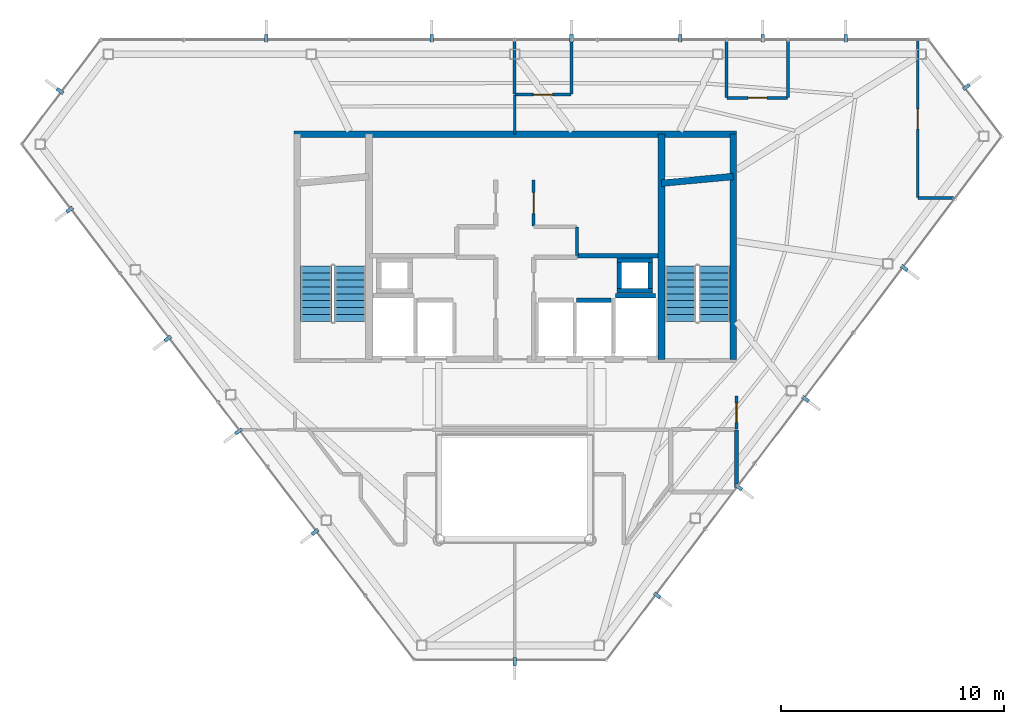
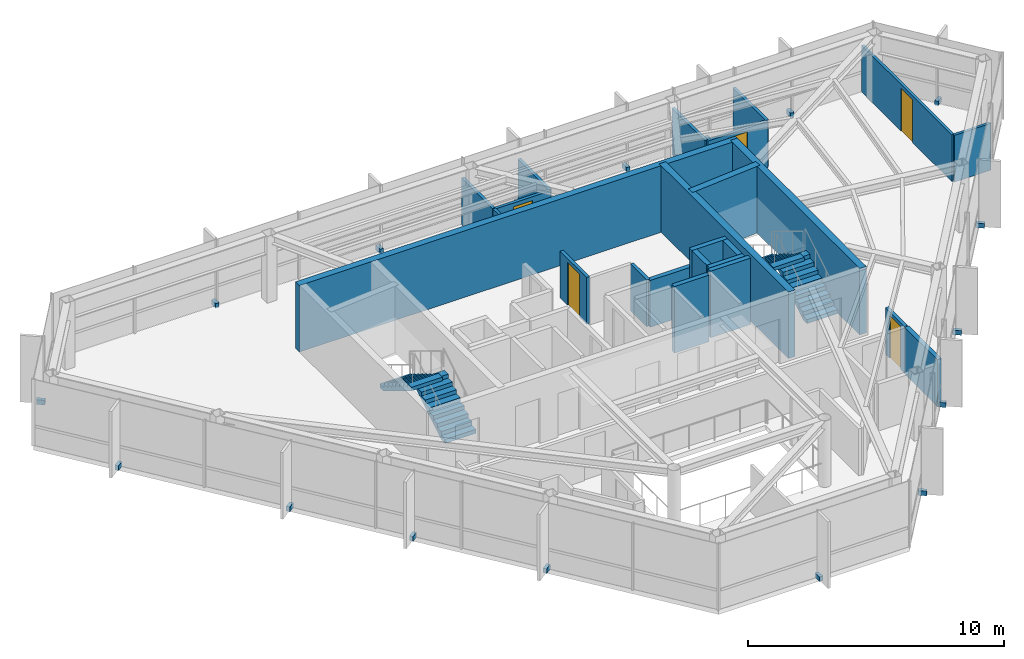
# One storey, part 22 of 23: 24 walls, 17 discrete accessories, 5 doors, 4 stair flights, 5 openings, 2 elements without a shape of their own.
"""IFC4 building model written with IfcOpenShell, lengths in metres."""

import ifcopenshell
import ifcopenshell.guid

model = None  # the IFC model being written
_history = None  # IfcOwnerHistory: only IFC2X3 demands one
_inside = {}  # id of a spatial element -> (the spatial element, [elements in it])
_under = {}  # id of a project, library or spatial element -> (it, [spatial elements below it])
_declared = {}  # id of a project -> (the project, [libraries it declares])
_typed = {}  # id of a type object -> (the type object, [elements of that type])
_made_of = {}  # id of a material, layer set ... -> (it, [elements and type objects made of it])


def new_model(schema):
    """Start an empty IFC model of exactly this schema.

    Asked for "IFC4X3", IfcOpenShell would pick the latest addendum, in which some entities
    have other attributes; the version numbers below select the first issue.
    IFC2X3 requires an IfcOwnerHistory on every rooted entity: one is made here for all.
    """
    global model, _history
    if schema == "IFC4X3":
        model = ifcopenshell.file(schema_version=(4, 3, 0, 0))
    else:
        model = ifcopenshell.file(schema=schema)
    _inside.clear()
    _under.clear()
    _declared.clear()
    _typed.clear()
    _made_of.clear()
    _history = None
    if model.schema == "IFC2X3":
        org = make("IfcOrganization", Name="unknown")
        user = make(
            "IfcPersonAndOrganization",
            ThePerson=make("IfcPerson", FamilyName="unknown"),
            TheOrganization=org,
        )
        app = make(
            "IfcApplication",
            ApplicationDeveloper=org,
            Version="unknown",
            ApplicationFullName="unknown",
            ApplicationIdentifier="unknown",
        )
        _history = make(
            "IfcOwnerHistory",
            OwningUser=user,
            OwningApplication=app,
            ChangeAction="ADDED",
            CreationDate=0,
        )
    return model


def make(cls, **values):
    """One entity of the class cls with the attributes given. An attribute that is None is left unset."""
    return model.create_entity(
        cls, **{name: value for name, value in values.items() if value is not None}
    )


def rooted(cls, **values):
    """An entity with a GlobalId (a new one), such as an element, a storey or a relation."""
    return make(cls, GlobalId=ifcopenshell.guid.new(), OwnerHistory=_history, **values)


def si_unit(unit_type, name, prefix=None):
    """IfcSIUnit, for example si_unit("LENGTHUNIT", "METRE", prefix="MILLI")."""
    return make("IfcSIUnit", UnitType=unit_type, Prefix=prefix, Name=name)


def assignment(units):
    """IfcUnitAssignment: the units of a project."""
    return None if units is None else make("IfcUnitAssignment", Units=units)


def point(xyz):
    """IfcCartesianPoint."""
    return None if xyz is None else make("IfcCartesianPoint", Coordinates=xyz)


def direction(xyz):
    """IfcDirection."""
    return None if xyz is None else make("IfcDirection", DirectionRatios=xyz)


def frame(location, z_axis=None, x_axis=None):
    """IfcAxis2Placement3D, a coordinate frame: its origin and axes. An axis left out is left unset."""
    return make(
        "IfcAxis2Placement3D",
        Location=point(location),
        Axis=direction(z_axis),
        RefDirection=direction(x_axis),
    )


def frame_2d(location, x_axis=None):
    """IfcAxis2Placement2D, a coordinate frame in the plane: its origin and x axis."""
    return make(
        "IfcAxis2Placement2D", Location=point(location), RefDirection=direction(x_axis)
    )


def origin():
    """The frame at (0, 0, 0) with its axes left unset."""
    return frame((0.0, 0.0, 0.0))


def origin_2d():
    """The frame at (0, 0) in the plane with its x axis left unset."""
    return frame_2d((0.0, 0.0))


def place(relative_to, where):
    """IfcLocalPlacement: puts the frame where relative to a parent placement (None: the world)."""
    return make(
        "IfcLocalPlacement", PlacementRelTo=relative_to, RelativePlacement=where
    )


def context(
    kind, dimensions, precision=None, world=None, true_north=None, identifier=None
):
    """IfcGeometricRepresentationContext, for example the 3D "Model" context."""
    return make(
        "IfcGeometricRepresentationContext",
        ContextIdentifier=identifier,
        ContextType=kind,
        CoordinateSpaceDimension=dimensions,
        Precision=precision,
        WorldCoordinateSystem=world,
        TrueNorth=true_north,
    )


def subcontext(parent, identifier, kind, view, scale=None):
    """IfcGeometricRepresentationSubContext, for example "Body" below "Model"."""
    return make(
        "IfcGeometricRepresentationSubContext",
        ContextIdentifier=identifier,
        ContextType=kind,
        ParentContext=parent,
        TargetScale=scale,
        TargetView=view,
    )


def project(units=None, contexts=None):
    """IfcProject with its units and contexts."""
    return rooted(
        "IfcProject",
        Name="project",
        RepresentationContexts=contexts,
        UnitsInContext=assignment(units),
    )


def spatial(cls, under=None, at=None, **own):
    """A site, building, storey or space (cls), placed at a placement, below another one or the project."""
    s = rooted(cls, ObjectPlacement=at, **own)
    if under is not None:
        _under.setdefault(under.id(), (under, []))[1].append(s)
    return s


def polyline(points):
    """IfcPolyline through the points."""
    return make("IfcPolyline", Points=[point(p) for p in points])


def profile(cls, at=None, kind="AREA", **sizes):
    """A parametric profile (cls). Its sizes go by their IFC names, for example OverallWidth=200.0."""
    return make(cls, ProfileType=kind, Position=at, **sizes)


def rectangle(**sizes):
    """IfcRectangleProfileDef."""
    return profile("IfcRectangleProfileDef", **sizes)


def outline(outer, holes=None, kind="AREA"):
    """IfcArbitraryClosedProfileDef: a profile drawn as a closed curve; with holes, ...WithVoids."""
    if holes is None:
        return make("IfcArbitraryClosedProfileDef", ProfileType=kind, OuterCurve=outer)
    return make(
        "IfcArbitraryProfileDefWithVoids",
        ProfileType=kind,
        OuterCurve=outer,
        InnerCurves=holes,
    )


def extrude(swept, where, along, depth):
    """IfcExtrudedAreaSolid: the profile swept, set in the frame where, extruded along a direction by depth."""
    return make(
        "IfcExtrudedAreaSolid",
        SweptArea=swept,
        Position=where,
        ExtrudedDirection=direction(along),
        Depth=depth,
    )


def shape(context_of_items, identifier, shape_type, items):
    """IfcShapeRepresentation: the items that make up one representation, for example the "Body"."""
    return make(
        "IfcShapeRepresentation",
        ContextOfItems=context_of_items,
        RepresentationIdentifier=identifier,
        RepresentationType=shape_type,
        Items=items,
    )


def material(Name=None, Category=None):
    """IfcMaterial."""
    return make("IfcMaterial", Name=Name, Category=Category)


def layer(
    of_material, thickness, ventilated=None, Name=None, Category=None, Priority=None
):
    """IfcMaterialLayer: one layer of a wall or slab, of a material (None: an air gap)."""
    return make(
        "IfcMaterialLayer",
        Material=of_material,
        LayerThickness=thickness,
        IsVentilated=ventilated,
        Name=Name,
        Category=Category,
        Priority=Priority,
    )


def layer_set(layers, Name=None):
    """IfcMaterialLayerSet."""
    return make("IfcMaterialLayerSet", MaterialLayers=layers, LayerSetName=Name)


def made_of(thing, what):
    """Note that an element or type object is made of a material, layer set ...; save() writes the relation."""
    if what is not None:
        _made_of.setdefault(what.id(), (what, []))[1].append(thing)
    return thing


def type_object(cls, material=None, **own):
    """A type object (cls), such as IfcWallType, which elements share."""
    return made_of(rooted(cls, **own), material)


def element(
    cls,
    number,
    at=None,
    inside=None,
    cuts=None,
    type_object=None,
    material=None,
    context=None,
    identifier="Body",
    shape_type=None,
    held_by="IfcProductDefinitionShape",
    body=None,
    shapes=None,
    **own,
):
    """One element of the class cls, such as IfcWall. Its Tag is "e" and its number.

    at: its placement. inside: the storey or other place that contains it. cuts: it is an
    opening in that element (IfcRelVoidsElement). A single representation is given by context,
    identifier, shape_type and body (its items); several are given by shapes. held_by: the class
    of the entity that holds the representations. save() writes the other relations.
    """
    e = rooted(cls, Tag="e%d" % number, ObjectPlacement=at, **own)
    if body is not None:
        shapes = [shape(context, identifier, shape_type, body)]
    if shapes is not None:
        e.Representation = make(held_by, Representations=shapes)
    if inside is not None:
        _inside.setdefault(inside.id(), (inside, []))[1].append(e)
    if cuts is not None:
        rooted(
            "IfcRelVoidsElement", RelatingBuildingElement=cuts, RelatedOpeningElement=e
        )
    if type_object is not None:
        _typed.setdefault(type_object.id(), (type_object, []))[1].append(e)
    return made_of(e, material)


def fill(opening, filler):
    """IfcRelFillsElement: the door or window that sits in an opening."""
    return rooted(
        "IfcRelFillsElement",
        RelatingOpeningElement=opening,
        RelatedBuildingElement=filler,
    )


def aggregate(whole, parts):
    """IfcRelAggregates: a whole, such as a stair, and the parts it consists of."""
    return rooted("IfcRelAggregates", RelatingObject=whole, RelatedObjects=parts)


def save(model, path):
    """Write the relations noted so far, then the file.

    IfcRelAggregates (storeys below a building ...), IfcRelContainedInSpatialStructure (elements
    in a storey), IfcRelDefinesByType, IfcRelAssociatesMaterial and IfcRelDeclares: one each for
    every whole, place, type object, material and project.
    """
    for whole, parts in _under.values():
        aggregate(whole, parts)
    for where, things in _inside.values():
        rooted(
            "IfcRelContainedInSpatialStructure",
            RelatedElements=things,
            RelatingStructure=where,
        )
    for kind, things in _typed.values():
        rooted("IfcRelDefinesByType", RelatedObjects=things, RelatingType=kind)
    for what, things in _made_of.values():
        rooted("IfcRelAssociatesMaterial", RelatedObjects=things, RelatingMaterial=what)
    for by, libraries in _declared.values():
        rooted("IfcRelDeclares", RelatingContext=by, RelatedDefinitions=libraries)
    model.write(path)


model = new_model("IFC4")

# Units and contexts
model_context = context("Model", 3, precision=1e-05, world=origin(), true_north=direction((0.0, 1.0)))
body_context = subcontext(model_context, "Body", "Model", "MODEL_VIEW")
ifc_project = project(units=[si_unit("LENGTHUNIT", "METRE"), si_unit("AREAUNIT", "SQUARE_METRE"), si_unit("VOLUMEUNIT", "CUBIC_METRE"), si_unit("PLANEANGLEUNIT", "RADIAN"), si_unit("MASSUNIT", "GRAM", prefix="KILO")], contexts=[model_context])

# Site, building, storey
site_placement = place(None, origin())
site = spatial("IfcSite", under=ifc_project, at=site_placement, CompositionType="ELEMENT")
building_placement = place(site_placement, origin())
building = spatial("IfcBuilding", under=site, at=building_placement, Name="Zarrinselat Tower", CompositionType="ELEMENT")
storey_placement = place(building_placement, frame((0.0, 0.0, 282.199951171875)))
storey = spatial("IfcBuildingStorey", under=building, at=storey_placement, Name="L72", CompositionType="ELEMENT", Elevation=282.199951171875)

# Wall
ifc_material_1 = material(Name="Concrete C40/50", Category="concrete")
ifc_layer_1 = layer(ifc_material_1, 0.18994140625)
ifc_layer_set_1 = layer_set([ifc_layer_1], Name="Concrete C40/50")
wall_type_1 = type_object("IfcWallType", Name="WAL-PART-EI120", PredefinedType="PARTITIONING", material=ifc_layer_set_1)
wall_1_placement = place(storey_placement, frame((48.35009765625, 27.554443359375, 0.0), z_axis=(0.0, 0.0, 1.0), x_axis=(0.0, 1.0, 0.0)))
element("IfcWall", 1, at=wall_1_placement, inside=storey, type_object=wall_type_1, Name="L72 Partition Wall 20", PredefinedType="PARTITIONING", context=body_context, shape_type="SweptSolid", body=[
    extrude(rectangle(XDim=2.575439453125, YDim=0.18994140625, at=frame_2d((1.28759765625, 0.0))), origin(), (0.0, 0.0, 1.0), 2.235107421875),
])

# Wall, opening, door
ifc_material_2 = material(Name="Fire-Rated Gypsum Board Partition", Category="gypsum")
ifc_layer_2 = layer(ifc_material_2, 0.14990234375)
ifc_layer_set_2 = layer_set([ifc_layer_2], Name="Fire-Rated Gypsum Board Partition")
wall_type_2 = type_object("IfcWallType", Name="WAL-PART-EI60", PredefinedType="PARTITIONING", material=ifc_layer_set_2)
wall_2_placement = place(storey_placement, frame((39.25, 39.27001953125, 0.0), z_axis=(0.0, 0.0, 1.0), x_axis=(0.0, 1.0, 0.0)))
wall_2 = element("IfcWall", 2, at=wall_2_placement, inside=storey, type_object=wall_type_2, Name="L72 Partition Wall 8", PredefinedType="PARTITIONING", context=body_context, shape_type="SweptSolid", body=[
    extrude(rectangle(XDim=2.080078125, YDim=0.14990234375, at=frame_2d((1.0400390625, 0.0))), origin(), (0.0, 0.0, 1.0), 2.235107421875),
])
opening_1_placement = place(wall_2_placement, frame((0.570068359375, 0.0, 0.0)))
opening_1 = element("IfcOpeningElement", 3, at=opening_1_placement, cuts=wall_2, Name="Opening ID-04", PredefinedType="OPENING", context=body_context, shape_type="SweptSolid", body=[
    extrude(rectangle(XDim=0.93994140625, YDim=2.050048828125, at=frame_2d((0.469970703125, 1.02490234375))), frame((0.0, 0.0849609375, 0.0), z_axis=(0.0, -1.0, 0.0), x_axis=(1.0, 0.0, 0.0)), (0.0, 0.0, 1.0), 0.169921875),
])
ifc_material_3 = material(Name="Fire-Rated Gypsum Board Partition")
door_type_1 = type_object("IfcDoorType", Name="DR-INT-FD30-ENT", OperationType="NOTDEFINED", PredefinedType="DOOR", material=ifc_material_3)
door_1_placement = place(opening_1_placement, origin())
door_1 = element("IfcDoor", 4, at=door_1_placement, inside=storey, type_object=door_type_1, Name="L72 Interior Door P8", OperationType="SINGLE_SWING_LEFT", OverallHeight=2.050048828125, OverallWidth=0.93994140625, PredefinedType="DOOR", context=body_context, shape_type="SweptSolid", body=[
    extrude(rectangle(XDim=0.93994140625, YDim=2.050048828125, at=frame_2d((0.469970703125, 1.02490234375))), frame((0.0, 0.02490234375, 0.0), z_axis=(0.0, -1.0, 0.0), x_axis=(1.0, 0.0, 0.0)), (0.0, 0.0, 1.0), 0.050048828125),
])
fill(opening_1, door_1)

# Wall
wall_3_placement = place(storey_placement, frame((41.199951171875, 37.955078125, 0.0), z_axis=(0.0, 0.0, 1.0), x_axis=(0.0, 1.0, 0.0)))
element("IfcWall", 5, at=wall_3_placement, inside=storey, type_object=wall_type_2, Name="L72 Partition Wall 10", PredefinedType="PARTITIONING", context=body_context, shape_type="SweptSolid", body=[
    extrude(rectangle(XDim=1.27490234375, YDim=0.14990234375, at=frame_2d((0.637451171875, 0.0))), origin(), (0.0, 0.0, 1.0), 2.235107421875),
])

# Wall, opening, door
wall_4_placement = place(storey_placement, frame((48.35009765625, 30.169921875, 0.0), z_axis=(0.0, 0.0, 1.0), x_axis=(0.0, 1.0, 0.0)))
wall_4 = element("IfcWall", 6, at=wall_4_placement, inside=storey, type_object=wall_type_2, Name="L72 Partition Wall 16", PredefinedType="PARTITIONING", context=body_context, shape_type="SweptSolid", body=[
    extrude(rectangle(XDim=1.477783203125, YDim=0.14990234375, at=frame_2d((0.73876953125, 0.0))), origin(), (0.0, 0.0, 1.0), 2.235107421875),
])
opening_2_placement = place(wall_4_placement, frame((0.298828125, 0.0, 0.0)))
opening_2 = element("IfcOpeningElement", 7, at=opening_2_placement, cuts=wall_4, Name="Opening ID-03", PredefinedType="OPENING", context=body_context, shape_type="SweptSolid", body=[
    extrude(rectangle(XDim=0.8798828125, YDim=2.050048828125, at=frame_2d((0.43994140625, 1.02490234375))), frame((0.0, 0.0849609375, 0.0), z_axis=(0.0, -1.0, 0.0), x_axis=(1.0, 0.0, 0.0)), (0.0, 0.0, 1.0), 0.169921875),
])
ifc_material_4 = material(Name="Steel S355J2", Category="steel")
door_type_2 = type_object("IfcDoorType", Name="DR-INT-FD60-S", OperationType="NOTDEFINED", PredefinedType="DOOR", material=ifc_material_4)
door_2_placement = place(opening_2_placement, origin())
door_2 = element("IfcDoor", 8, at=door_2_placement, inside=storey, type_object=door_type_2, Name="L72 Interior Door P16", OperationType="SINGLE_SWING_RIGHT", OverallHeight=2.050048828125, OverallWidth=0.8798828125, PredefinedType="DOOR", context=body_context, shape_type="SweptSolid", body=[
    extrude(rectangle(XDim=0.8798828125, YDim=2.050048828125, at=frame_2d((0.43994140625, 1.02490234375))), frame((0.0, 0.02490234375, 0.0), z_axis=(0.0, -1.0, 0.0), x_axis=(1.0, 0.0, 0.0)), (0.0, 0.0, 1.0), 0.050048828125),
])
fill(opening_2, door_2)

# Wall
ifc_material_5 = material(Name="Concrete C40/50", Category="concrete")
ifc_layer_3 = layer(ifc_material_5, 0.199951171875)
ifc_layer_set_3 = layer_set([ifc_layer_3], Name="Concrete C40/50")
wall_type_3 = type_object("IfcWallType", Name="WAL-PART-PLANT", PredefinedType="PARTITIONING", material=ifc_layer_set_3)
wall_5_placement = place(storey_placement, frame((41.219970703125, 37.949951171875, 0.0), z_axis=(0.0, 0.0, 1.0), x_axis=(1.0, 0.0, 0.0)))
element("IfcWall", 9, at=wall_5_placement, inside=storey, type_object=wall_type_3, Name="L72 Partition Wall 12", PredefinedType="PARTITIONING", context=body_context, shape_type="SweptSolid", body=[
    extrude(rectangle(XDim=3.614990234375, YDim=0.199951171875, at=frame_2d((1.8076171875, 0.0))), origin(), (0.0, 0.0, 1.0), 2.235107421875),
])

# Wall, opening, door
ifc_material_6 = material(Name="Fire-Rated Gypsum Board Partition", Category="gypsum")
ifc_layer_4 = layer(ifc_material_6, 0.1201171875)
ifc_layer_set_4 = layer_set([ifc_layer_4], Name="Fire-Rated Gypsum Board Partition")
wall_type_4 = type_object("IfcWallType", Name="WAL-PART-STD", PredefinedType="PARTITIONING", material=ifc_layer_set_4)
wall_6_placement = place(storey_placement, frame((56.473388671875, 40.55517578125, 0.0), z_axis=(0.0, 0.0, 1.0), x_axis=(0.0, 1.0, 0.0)))
wall_6 = element("IfcWall", 10, at=wall_6_placement, inside=storey, type_object=wall_type_4, Name="L72 Partition Wall 38", PredefinedType="PARTITIONING", context=body_context, shape_type="SweptSolid", body=[
    extrude(rectangle(XDim=7.063232421875, YDim=0.1201171875, at=frame_2d((3.53173828125, 0.0))), origin(), (0.0, 0.0, 1.0), 2.235107421875),
])
opening_3_placement = place(wall_6_placement, frame((3.08154296875, 0.0, 0.0)))
opening_3 = element("IfcOpeningElement", 11, at=opening_3_placement, cuts=wall_6, Name="Opening ID-05", PredefinedType="OPENING", context=body_context, shape_type="SweptSolid", body=[
    extrude(rectangle(XDim=0.89990234375, YDim=2.050048828125, at=frame_2d((0.449951171875, 1.02490234375))), frame((0.0, 0.070068359375, 0.0), z_axis=(0.0, -1.0, 0.0), x_axis=(1.0, 0.0, 0.0)), (0.0, 0.0, 1.0), 0.14013671875),
])
ifc_material_7 = material(Name="Extruded Aluminium Alloy EN AW-6063 T6", Category="aluminium")
door_type_3 = type_object("IfcDoorType", Name="DR-INT-STD-920", OperationType="NOTDEFINED", PredefinedType="DOOR", material=ifc_material_7)
door_3_placement = place(opening_3_placement, origin())
door_3 = element("IfcDoor", 12, at=door_3_placement, inside=storey, type_object=door_type_3, Name="L72 Interior Door P38", OperationType="SINGLE_SWING_RIGHT", OverallHeight=2.050048828125, OverallWidth=0.89990234375, PredefinedType="DOOR", context=body_context, shape_type="SweptSolid", body=[
    extrude(rectangle(XDim=0.89990234375, YDim=2.050048828125, at=frame_2d((0.449951171875, 1.02490234375))), frame((0.0, 0.02490234375, 0.0), z_axis=(0.0, -1.0, 0.0), x_axis=(1.0, 0.0, 0.0)), (0.0, 0.0, 1.0), 0.050048828125),
])
fill(opening_3, door_3)

# Walls
wall_7_placement = place(storey_placement, frame((56.493408203125, 40.53515625, 0.0), z_axis=(0.0, 0.0, 1.0), x_axis=(1.0, 0.0, 0.0)))
element("IfcWall", 13, at=wall_7_placement, inside=storey, type_object=wall_type_4, Name="L72 Partition Wall 39", PredefinedType="PARTITIONING", context=body_context, shape_type="SweptSolid", body=[
    extrude(rectangle(XDim=1.650634765625, YDim=0.1201171875, at=frame_2d((0.8251953125, 0.0))), origin(), (0.0, 0.0, 1.0), 2.235107421875),
])
wall_8_placement = place(storey_placement, frame((38.39990234375, 43.4150390625, 0.0), z_axis=(0.0, 0.0, 1.0), x_axis=(0.0, 1.0, 0.0)))
element("IfcWall", 14, at=wall_8_placement, inside=storey, type_object=wall_type_4, Name="L72 Partition Wall 40", PredefinedType="PARTITIONING", context=body_context, shape_type="SweptSolid", body=[
    extrude(rectangle(XDim=1.73828125, YDim=0.1201171875, at=frame_2d((0.869140625, 0.0))), origin(), (0.0, 0.0, 1.0), 2.235107421875),
])
ifc_material_8 = material(Name="Fire-Rated Gypsum Board Partition", Category="gypsum")
ifc_layer_5 = layer(ifc_material_8, 0.135009765625)
ifc_layer_set_5 = layer_set([ifc_layer_5], Name="Fire-Rated Gypsum Board Partition")
wall_type_5 = type_object("IfcWallType", Name="WAL-PART-WET", PredefinedType="PARTITIONING", material=ifc_layer_set_5)
wall_9_placement = place(storey_placement, frame((47.91259765625, 45.043212890625, 0.0), z_axis=(0.0, 0.0, 1.0), x_axis=(0.0, 1.0, 0.0)))
element("IfcWall", 15, at=wall_9_placement, inside=storey, type_object=wall_type_5, Name="L72 Partition Wall 33", PredefinedType="PARTITIONING", context=body_context, shape_type="SweptSolid", body=[
    extrude(rectangle(XDim=2.5751953125, YDim=0.135009765625, at=frame_2d((1.28759765625, 0.0))), origin(), (0.0, 0.0, 1.0), 2.235107421875),
])

# Wall, opening, door
wall_10_placement = place(storey_placement, frame((47.9326171875, 45.023193359375, 0.0), z_axis=(0.0, 0.0, 1.0), x_axis=(1.0, 0.0, 0.0)))
wall_10 = element("IfcWall", 16, at=wall_10_placement, inside=storey, type_object=wall_type_5, Name="L72 Partition Wall 34", PredefinedType="PARTITIONING", context=body_context, shape_type="SweptSolid", body=[
    extrude(rectangle(XDim=2.7099609375, YDim=0.135009765625, at=frame_2d((1.35498046875, 0.0))), origin(), (0.0, 0.0, 1.0), 2.235107421875),
])
opening_4_placement = place(wall_10_placement, frame((0.925048828125, 0.0, 0.0)))
opening_4 = element("IfcOpeningElement", 17, at=opening_4_placement, cuts=wall_10, Name="Opening ID-06", PredefinedType="OPENING", context=body_context, shape_type="SweptSolid", body=[
    extrude(rectangle(XDim=0.860107421875, YDim=2.050048828125, at=frame_2d((0.43017578125, 1.02490234375))), frame((0.0, 0.077392578125, 0.0), z_axis=(0.0, -1.0, 0.0), x_axis=(1.0, 0.0, 0.0)), (0.0, 0.0, 1.0), 0.155029296875),
])
ifc_material_9 = material(Name="Extruded Aluminium Alloy EN AW-6063 T6", Category="aluminium")
door_type_4 = type_object("IfcDoorType", Name="DR-INT-WET-900", OperationType="NOTDEFINED", PredefinedType="DOOR", material=ifc_material_9)
door_4_placement = place(opening_4_placement, origin())
door_4 = element("IfcDoor", 18, at=door_4_placement, inside=storey, type_object=door_type_4, Name="L72 Interior Door P34", OperationType="SINGLE_SWING_RIGHT", OverallHeight=2.050048828125, OverallWidth=0.860107421875, PredefinedType="DOOR", context=body_context, shape_type="SweptSolid", body=[
    extrude(rectangle(XDim=0.860107421875, YDim=2.050048828125, at=frame_2d((0.43017578125, 1.02490234375))), frame((0.0, 0.02490234375, 0.0), z_axis=(0.0, -1.0, 0.0), x_axis=(1.0, 0.0, 0.0)), (0.0, 0.0, 1.0), 0.050048828125),
])
fill(opening_4, door_4)

# Wall
wall_11_placement = place(storey_placement, frame((50.66259765625, 45.043212890625, 0.0), z_axis=(0.0, 0.0, 1.0), x_axis=(0.0, 1.0, 0.0)))
element("IfcWall", 19, at=wall_11_placement, inside=storey, type_object=wall_type_5, Name="L72 Partition Wall 35", PredefinedType="PARTITIONING", context=body_context, shape_type="SweptSolid", body=[
    extrude(rectangle(XDim=2.5751953125, YDim=0.135009765625, at=frame_2d((1.28759765625, 0.0))), origin(), (0.0, 0.0, 1.0), 2.235107421875),
])

# Wall, opening, door
wall_12_placement = place(storey_placement, frame((38.419921875, 45.17333984375, 0.0), z_axis=(0.0, 0.0, 1.0), x_axis=(1.0, 0.0, 0.0)))
wall_12 = element("IfcWall", 20, at=wall_12_placement, inside=storey, type_object=wall_type_5, Name="L72 Partition Wall 36", PredefinedType="PARTITIONING", context=body_context, shape_type="SweptSolid", body=[
    extrude(rectangle(XDim=2.510009765625, YDim=0.135009765625, at=frame_2d((1.2548828125, 0.0))), origin(), (0.0, 0.0, 1.0), 2.235107421875),
])
opening_5_placement = place(wall_12_placement, frame((0.824951171875, 0.0, 0.0)))
opening_5 = element("IfcOpeningElement", 21, at=opening_5_placement, cuts=wall_12, Name="Opening ID-06", PredefinedType="OPENING", context=body_context, shape_type="SweptSolid", body=[
    extrude(rectangle(XDim=0.860107421875, YDim=2.050048828125, at=frame_2d((0.43017578125, 1.02490234375))), frame((0.0, 0.077392578125, 0.0), z_axis=(0.0, -1.0, 0.0), x_axis=(1.0, 0.0, 0.0)), (0.0, 0.0, 1.0), 0.155029296875),
])
door_5_placement = place(opening_5_placement, origin())
door_5 = element("IfcDoor", 22, at=door_5_placement, inside=storey, type_object=door_type_4, Name="L72 Interior Door P36", OperationType="SINGLE_SWING_LEFT", OverallHeight=2.050048828125, OverallWidth=0.860107421875, PredefinedType="DOOR", context=body_context, shape_type="SweptSolid", body=[
    extrude(rectangle(XDim=0.860107421875, YDim=2.050048828125, at=frame_2d((0.43017578125, 1.02490234375))), frame((0.0, 0.02490234375, 0.0), z_axis=(0.0, -1.0, 0.0), x_axis=(1.0, 0.0, 0.0)), (0.0, 0.0, 1.0), 0.050048828125),
])
fill(opening_5, door_5)

# Walls
for number, where, z_axis, x_axis, name in (
    (23, (40.949951171875, 45.193359375, 0.0), (0.0, 0.0, 1.0), (0.0, 1.0, 0.0), "L72 Partition Wall 37"),
    (24, (38.39990234375, 45.193359375, 0.0), (0.0, 0.0, 1.0), (0.0, 1.0, 0.0), "L72 Partition Wall 41"),
):
    element("IfcWall", number, at=place(storey_placement, frame(where, z_axis=z_axis, x_axis=x_axis)), inside=storey, type_object=wall_type_5, Name=name, PredefinedType="PARTITIONING", context=body_context, shape_type="SweptSolid", body=[
        extrude(rectangle(XDim=2.425048828125, YDim=0.135009765625, at=frame_2d((1.21240234375, 0.0))), origin(), (0.0, 0.0, 1.0), 2.235107421875),
    ])
ifc_material_10 = material(Name="Concrete C40/50", Category="concrete")
ifc_layer_6 = layer(ifc_material_10, 0.2099609375)
ifc_layer_set_6 = layer_set([ifc_layer_6], Name="Concrete C40/50")
wall_type_6 = type_object("IfcWallType", Name="WAL-SHAFT-210", PredefinedType="SOLIDWALL", material=ifc_layer_set_6)
wall_13_placement = place(storey_placement, frame((42.919921875, 36.155029296875, 0.0), z_axis=(0.0, 0.0, 1.0), x_axis=(1.0, 0.0, 0.0)))
element("IfcWall", 25, at=wall_13_placement, inside=storey, type_object=wall_type_6, Name="L72 Lift FFL2 North Shaft Wall", PredefinedType="SOLIDWALL", context=body_context, shape_type="SweptSolid", body=[
    extrude(rectangle(XDim=1.800048828125, YDim=0.2099609375, at=frame_2d((0.89990234375, 0.0))), origin(), (0.0, 0.0, 1.0), 3.179931640625),
])
wall_14_placement = place(storey_placement, frame((41.169921875, 35.955078125, 0.0), z_axis=(0.0, 0.0, 1.0), x_axis=(1.0, 0.0, 0.0)))
element("IfcWall", 26, at=wall_14_placement, inside=storey, type_object=wall_type_6, Name="L72 Lift PL9 North Shaft Wall", PredefinedType="SOLIDWALL", context=body_context, shape_type="SweptSolid", body=[
    extrude(rectangle(XDim=1.56005859375, YDim=0.2099609375, at=frame_2d((0.780029296875, 0.0))), origin(), (0.0, 0.0, 1.0), 3.179931640625),
])
for number, where, z_axis, x_axis, name in (
    (27, (42.989990234375, 36.375, 0.0), (0.0, 0.0, 1.0), (1.0, 0.0, 0.0), "L72 Core Riser RSR-E S Shaft Wall"),
    (28, (42.989990234375, 37.7451171875, 0.0), (0.0, 0.0, 1.0), (1.0, 0.0, 0.0), "L72 Core Riser RSR-E N Shaft Wall"),
):
    element("IfcWall", number, at=place(storey_placement, frame(where, z_axis=z_axis, x_axis=x_axis)), inside=storey, type_object=wall_type_6, Name=name, PredefinedType="SOLIDWALL", context=body_context, shape_type="SweptSolid", body=[
        extrude(rectangle(XDim=1.60009765625, YDim=0.2099609375, at=frame_2d((0.800048828125, 0.0))), origin(), (0.0, 0.0, 1.0), 3.179931640625),
    ])
for number, where, z_axis, x_axis, name in (
    (29, (43.094970703125, 36.485107421875, 0.0), (0.0, 0.0, 1.0), (0.0, 1.0, 0.0), "L72 Core Riser RSR-E W Shaft Wall"),
    (30, (44.485107421875, 36.485107421875, 0.0), (0.0, 0.0, 1.0), (0.0, 1.0, 0.0), "L72 Core Riser RSR-E E Shaft Wall"),
):
    element("IfcWall", number, at=place(storey_placement, frame(where, z_axis=z_axis, x_axis=x_axis)), inside=storey, type_object=wall_type_6, Name=name, PredefinedType="SOLIDWALL", context=body_context, shape_type="SweptSolid", body=[
        extrude(rectangle(XDim=1.14990234375, YDim=0.2099609375, at=frame_2d((0.574951171875, 0.0))), origin(), (0.0, 0.0, 1.0), 3.179931640625),
    ])
ifc_material_11 = material(Name="Concrete C40/50", Category="concrete")
ifc_layer_7 = layer(ifc_material_11, 0.300048828125)
ifc_layer_set_7 = layer_set([ifc_layer_7], Name="Concrete C40/50")
wall_type_7 = type_object("IfcWallType", Name="WAL-SHEAR-300", PredefinedType="SHEAR", material=ifc_layer_set_7)
wall_15_placement = place(storey_placement, frame((28.5, 43.39990234375, 0.0), z_axis=(0.0, 0.0, 1.0), x_axis=(1.0, 0.0, 0.0)))
element("IfcWall", 31, at=wall_15_placement, inside=storey, type_object=wall_type_7, Name="L72 North Core Shear Wall", PredefinedType="SHEAR", context=body_context, shape_type="SweptSolid", body=[
    extrude(rectangle(XDim=19.860107421875, YDim=0.300048828125, at=frame_2d((9.93017578125, 0.0))), origin(), (0.0, 0.0, 1.0), 3.179931640625),
])
for number, where, z_axis, x_axis, name in (
    (32, (44.989990234375, 33.300048828125, 0.0), (0.0, 0.0, 1.0), (0.0, 1.0, 0.0), "L72 Core Shear Wall ST2W"),
    (33, (48.2099609375, 33.300048828125, 0.0), (0.0, 0.0, 1.0), (0.0, 1.0, 0.0), "L72 Core Shear Wall E"),
):
    element("IfcWall", number, at=place(storey_placement, frame(where, z_axis=z_axis, x_axis=x_axis)), inside=storey, type_object=wall_type_7, Name=name, PredefinedType="SHEAR", context=body_context, shape_type="SweptSolid", body=[
        extrude(rectangle(XDim=10.099853515625, YDim=0.300048828125, at=frame_2d((5.0498046875, 0.0))), origin(), (0.0, 0.0, 1.0), 3.179931640625),
    ])
wall_16_placement = place(storey_placement, frame((44.97998046875, 41.199951171875, 0.0), z_axis=(0.0, 0.0, 1.0), x_axis=(0.995686468965, 0.09278176286, 0.0)))
element("IfcWall", 34, at=wall_16_placement, inside=storey, type_object=wall_type_7, Name="L72 Stair 2 North Shaft Wall", PredefinedType="SHEAR", context=body_context, shape_type="SweptSolid", body=[
    extrude(rectangle(XDim=3.23388671875, YDim=0.300048828125, at=frame_2d((1.616943359375, 0.0))), origin(), (0.0, 0.0, 1.0), 3.179931640625),
])

# Stair, stair flights
ifc_material_12 = material(Name="Concrete C40/50", Category="concrete")
stair_type = type_object("IfcStairType", Name="STR-CORE-155", PredefinedType="HALF_TURN_STAIR", material=ifc_material_12)
stair_1_placement = place(storey_placement, origin())
stair_1 = element("IfcStair", 35, at=stair_1_placement, inside=storey, type_object=stair_type, Name="L72 Core Exit Stair 1", PredefinedType="HALF_TURN_STAIR")
ifc_material_13 = material(Name="Concrete C40/50", Category="concrete")
stair_flight_type = type_object("IfcStairFlightType", Name="STR-FLT-155", PredefinedType="STRAIGHT", material=ifc_material_13)
stair_flight_1_placement = place(storey_placement, frame((31.02001953125, 35.0, 0.0), z_axis=(0.0, 0.0, 1.0), x_axis=(0.0, 1.0, 0.0)))
stair_flight_1 = element("IfcStairFlight", 36, at=stair_flight_1_placement, type_object=stair_flight_type, Name="ST-1 flight 1", NumberOfRisers=9, NumberOfTreads=8, PredefinedType="STRAIGHT", RiserHeight=0.188888889, TreadLength=0.31, context=body_context, shape_type="SweptSolid", body=[
    extrude(outline(polyline([(0.0, 0.0), (0.0, 0.18896484375), (0.31005859375, 0.18896484375), (0.31005859375, 0.377685546875), (0.6201171875, 0.377685546875), (0.6201171875, 0.566650390625), (0.929931640625, 0.566650390625), (0.929931640625, 0.755615234375), (1.239990234375, 0.755615234375), (1.239990234375, 0.9443359375), (1.550048828125, 0.9443359375), (1.550048828125, 1.13330078125), (1.860107421875, 1.13330078125), (1.860107421875, 1.322265625), (2.169921875, 1.322265625), (2.169921875, 1.51123046875), (2.47998046875, 1.51123046875), (2.47998046875, 1.699951171875), (2.47998046875, 1.335693359375), (0.2880859375, 0.0), (0.0, 0.0)])), frame((0.0, 0.699951171875, 0.0), z_axis=(0.0, -1.0, 0.0), x_axis=(1.0, 0.0, 0.0)), (0.0, 0.0, 1.0), 1.39990234375),
])
stair_flight_2_placement = place(storey_placement, frame((29.5, 37.47998046875, 1.699951171875), z_axis=(0.0, 0.0, 1.0), x_axis=(0.0, -1.0, 0.0)))
stair_flight_2 = element("IfcStairFlight", 37, at=stair_flight_2_placement, type_object=stair_flight_type, Name="ST-1 flight 2", NumberOfRisers=9, NumberOfTreads=8, PredefinedType="STRAIGHT", RiserHeight=0.188888889, TreadLength=0.31, context=body_context, shape_type="SweptSolid", body=[
    extrude(outline(polyline([(0.0, 0.0), (0.0, 0.18896484375), (0.31005859375, 0.18896484375), (0.31005859375, 0.377685546875), (0.6201171875, 0.377685546875), (0.6201171875, 0.566650390625), (0.929931640625, 0.566650390625), (0.929931640625, 0.755615234375), (1.239990234375, 0.755615234375), (1.239990234375, 0.9443359375), (1.550048828125, 0.9443359375), (1.550048828125, 1.13330078125), (1.860107421875, 1.13330078125), (1.860107421875, 1.322265625), (2.169921875, 1.322265625), (2.169921875, 1.51123046875), (2.47998046875, 1.51123046875), (2.47998046875, 1.699951171875), (2.47998046875, 1.335693359375), (0.2880859375, 0.0), (0.0, 0.0)])), frame((0.0, 0.699951171875, 0.0), z_axis=(0.0, -1.0, 0.0), x_axis=(1.0, 0.0, 0.0)), (0.0, 0.0, 1.0), 1.39990234375),
])
aggregate(stair_1, [stair_flight_1, stair_flight_2])

stair_2_placement = place(storey_placement, origin())
stair_2 = element("IfcStair", 38, at=stair_2_placement, inside=storey, type_object=stair_type, Name="L72 Core Exit Stair 2", PredefinedType="HALF_TURN_STAIR")
stair_flight_3_placement = place(storey_placement, frame((47.360107421875, 35.0, 0.0), z_axis=(0.0, 0.0, 1.0), x_axis=(0.0, 1.0, 0.0)))
stair_flight_3 = element("IfcStairFlight", 39, at=stair_flight_3_placement, type_object=stair_flight_type, Name="ST-2 flight 1", NumberOfRisers=9, NumberOfTreads=8, PredefinedType="STRAIGHT", RiserHeight=0.188888889, TreadLength=0.31, context=body_context, shape_type="SweptSolid", body=[
    extrude(outline(polyline([(0.0, 0.0), (0.0, 0.18896484375), (0.31005859375, 0.18896484375), (0.31005859375, 0.377685546875), (0.6201171875, 0.377685546875), (0.6201171875, 0.566650390625), (0.929931640625, 0.566650390625), (0.929931640625, 0.755615234375), (1.239990234375, 0.755615234375), (1.239990234375, 0.9443359375), (1.550048828125, 0.9443359375), (1.550048828125, 1.13330078125), (1.860107421875, 1.13330078125), (1.860107421875, 1.322265625), (2.169921875, 1.322265625), (2.169921875, 1.51123046875), (2.47998046875, 1.51123046875), (2.47998046875, 1.699951171875), (2.47998046875, 1.335693359375), (0.2880859375, 0.0), (0.0, 0.0)])), frame((0.0, 0.699951171875, 0.0), z_axis=(0.0, -1.0, 0.0), x_axis=(1.0, 0.0, 0.0)), (0.0, 0.0, 1.0), 1.39990234375),
])
stair_flight_4_placement = place(storey_placement, frame((45.840087890625, 37.47998046875, 1.699951171875), z_axis=(0.0, 0.0, 1.0), x_axis=(0.0, -1.0, 0.0)))
stair_flight_4 = element("IfcStairFlight", 40, at=stair_flight_4_placement, type_object=stair_flight_type, Name="ST-2 flight 2", NumberOfRisers=9, NumberOfTreads=8, PredefinedType="STRAIGHT", RiserHeight=0.188888889, TreadLength=0.31, context=body_context, shape_type="SweptSolid", body=[
    extrude(outline(polyline([(0.0, 0.0), (0.0, 0.18896484375), (0.31005859375, 0.18896484375), (0.31005859375, 0.377685546875), (0.6201171875, 0.377685546875), (0.6201171875, 0.566650390625), (0.929931640625, 0.566650390625), (0.929931640625, 0.755615234375), (1.239990234375, 0.755615234375), (1.239990234375, 0.9443359375), (1.550048828125, 0.9443359375), (1.550048828125, 1.13330078125), (1.860107421875, 1.13330078125), (1.860107421875, 1.322265625), (2.169921875, 1.322265625), (2.169921875, 1.51123046875), (2.47998046875, 1.51123046875), (2.47998046875, 1.699951171875), (2.47998046875, 1.335693359375), (0.2880859375, 0.0), (0.0, 0.0)])), frame((0.0, 0.699951171875, 0.0), z_axis=(0.0, -1.0, 0.0), x_axis=(1.0, 0.0, 0.0)), (0.0, 0.0, 1.0), 1.39990234375),
])
aggregate(stair_2, [stair_flight_3, stair_flight_4])

# Discrete accessories
ifc_material_14 = material(Name="Steel S355J2", Category="steel")
discrete_accessory_type = type_object("IfcDiscreteAccessoryType", Name="ACC-FIN-BRACKET", PredefinedType="BRACKET", material=ifc_material_14)
for number, where, z_axis, x_axis, name in (
    (41, (53.244140625, 47.703369140625, -0.0498046875), (0.0, 0.0, 1.0), (0.0, 1.0, 0.0), "L72 Fin Fixing Bracket CW-L72-E01-01"),
    (42, (49.532958984375, 47.703369140625, -0.0498046875), (0.0, 0.0, 1.0), (0.0, 1.0, 0.0), "L72 Fin Fixing Bracket CW-L72-E01-03"),
    (43, (45.82177734375, 47.703369140625, -0.0498046875), (0.0, 0.0, 1.0), (0.0, 1.0, 0.0), "L72 Fin Fixing Bracket CW-L72-E01-05"),
    (44, (40.949951171875, 47.703369140625, -0.0498046875), (0.0, 0.0, 1.0), (0.0, 1.0, 0.0), "L72 Fin Fixing Bracket CW-L72-E01-07"),
    (45, (34.68798828125, 47.703369140625, -0.0498046875), (0.0, 0.0, 1.0), (0.0, 1.0, 0.0), "L72 Fin Fixing Bracket CW-L72-E01-09"),
    (46, (27.265380859375, 47.703369140625, -0.0498046875), (0.0, 0.0, 1.0), (0.0, 1.0, 0.0), "L72 Fin Fixing Bracket CW-L72-E01-11"),
    (47, (18.017333984375, 45.330810546875, -0.0498046875), (0.0, 0.0, 1.0), (-0.798164133577, 0.602440051683, 0.0), "L72 Fin Fixing Bracket CW-L72-E02-01"),
    (48, (18.44873046875, 40.010986328125, -0.0498046875), (0.0, 0.0, 1.0), (-0.795641841772, -0.60576733126, 0.0), "L72 Fin Fixing Bracket CW-L72-E03-01"),
    (49, (22.850341796875, 34.229736328125, -0.0498046875), (0.0, 0.0, 1.0), (-0.795641841772, -0.60576733126, 0.0), "L72 Fin Fixing Bracket CW-L72-E03-03"),
    (50, (26.016357421875, 30.0712890625, -0.0498046875), (0.0, 0.0, 1.0), (-0.795641841772, -0.60576733126, 0.0), "L72 Fin Fixing Bracket CW-L72-E03-05"),
    (51, (29.45263671875, 25.557861328125, -0.0498046875), (0.0, 0.0, 1.0), (-0.795641841772, -0.60576733126, 0.0), "L72 Fin Fixing Bracket CW-L72-E03-07"),
    (52, (38.39990234375, 19.7490234375, -0.0498046875), (0.0, 0.0, 1.0), (0.0, -1.0, 0.0), "L72 Fin Fixing Bracket CW-L72-E04-01"),
    (53, (44.794677734375, 22.712646484375, -0.0498046875), (0.0, 0.0, 1.0), (0.798160322284, -0.602445101176, 0.0), "L72 Fin Fixing Bracket CW-L72-E05-01"),
    (54, (48.453857421875, 27.560546875, -0.0498046875), (0.0, 0.0, 1.0), (0.798160322284, -0.602445101176, 0.0), "L72 Fin Fixing Bracket CW-L72-E05-03"),
    (55, (51.4423828125, 31.520263671875, -0.0498046875), (0.0, 0.0, 1.0), (0.798160322284, -0.602445101176, 0.0), "L72 Fin Fixing Bracket CW-L72-E05-05"),
    (56, (55.874267578125, 37.391845703125, -0.0498046875), (0.0, 0.0, 1.0), (0.798160322284, -0.602445101176, 0.0), "L72 Fin Fixing Bracket CW-L72-E05-07"),
    (57, (58.65869140625, 45.511962890625, -0.0498046875), (0.0, 0.0, 1.0), (0.795637208503, 0.605773416753, 0.0), "L72 Fin Fixing Bracket CW-L72-E06-01"),
):
    element("IfcDiscreteAccessory", number, at=place(storey_placement, frame(where, z_axis=z_axis, x_axis=x_axis)), inside=storey, type_object=discrete_accessory_type, Name=name, PredefinedType="BRACKET", context=body_context, shape_type="SweptSolid", body=[
        extrude(rectangle(XDim=0.340087890625, YDim=0.159912109375, at=origin_2d()), origin(), (0.0, 0.0, 1.0), 0.219970703125),
    ])

save(model, "model.ifc")
